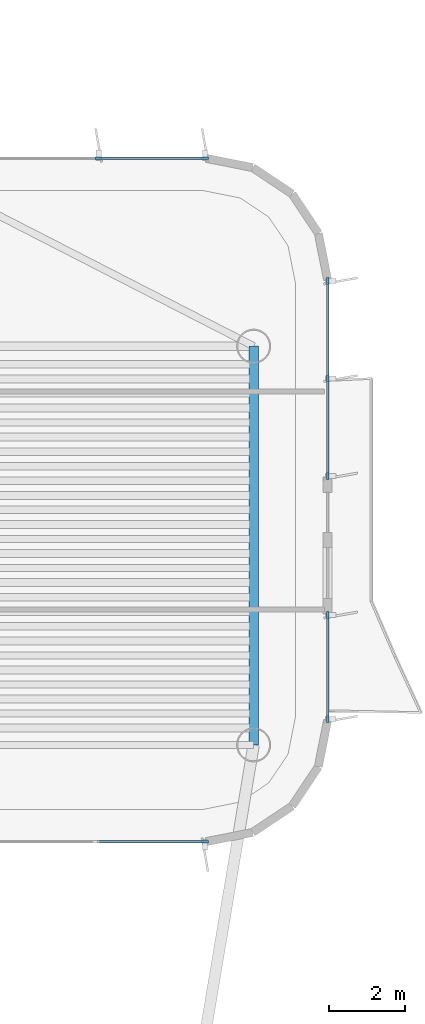
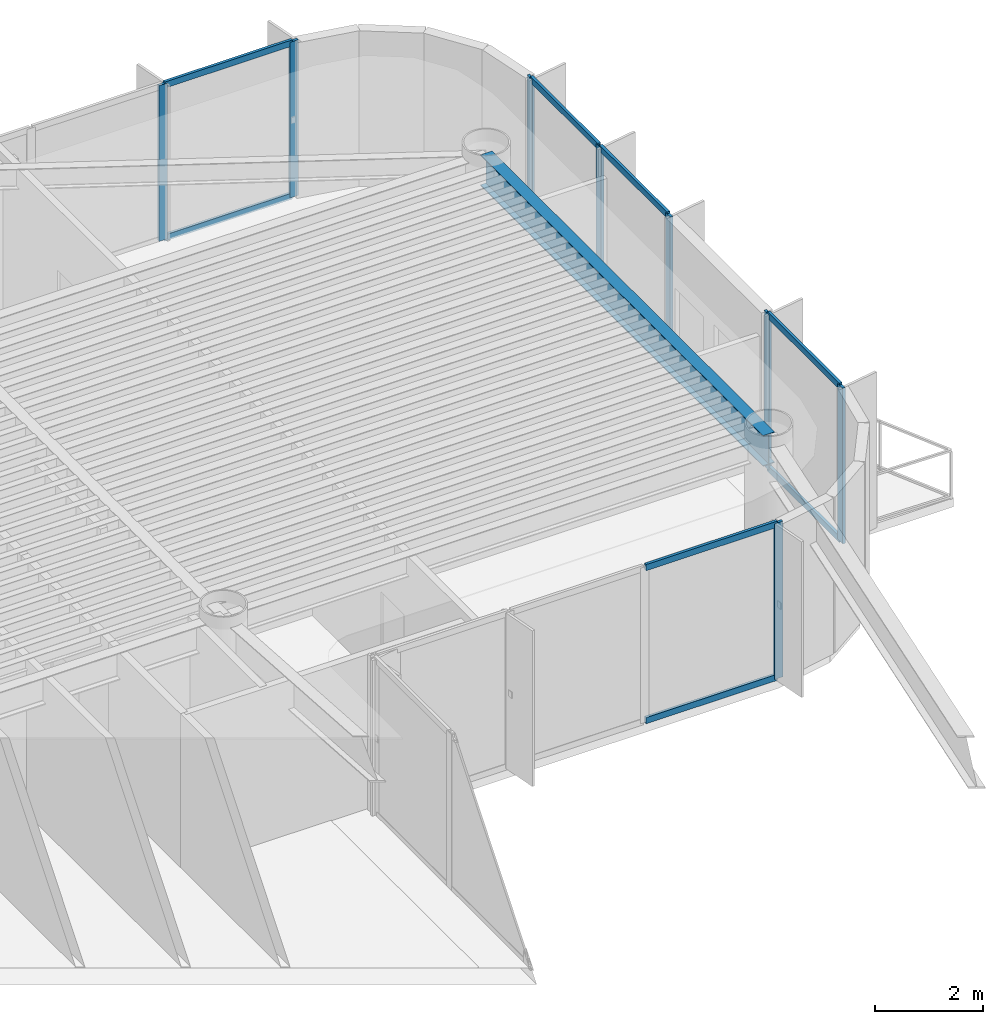
# One storey, part 8 of 16: 18 members, 1 beam, 4 elements without a shape of their own.
"""IFC4 building model written with IfcOpenShell, lengths in metres."""

from ifc_helpers import new_model, si_unit, direction, frame, origin, origin_2d, place, context, subcontext, project, spatial, rectangle, i_section, extrude, source, transform, mapped, material, layer, layer_set, material_profile, profile_set, type_object, element, aggregate, save


model = new_model("IFC4")

# Units and contexts
model_context = context("Model", 3, precision=1e-05, world=origin(), true_north=direction((0.0, 1.0)))
body_context = subcontext(model_context, "Body", "Model", "MODEL_VIEW")
ifc_project = project(units=[si_unit("LENGTHUNIT", "METRE"), si_unit("AREAUNIT", "SQUARE_METRE"), si_unit("VOLUMEUNIT", "CUBIC_METRE"), si_unit("PLANEANGLEUNIT", "RADIAN"), si_unit("MASSUNIT", "GRAM", prefix="KILO")], contexts=[model_context])

# Site, building, storey
site_placement = place(None, origin())
site = spatial("IfcSite", under=ifc_project, at=site_placement, CompositionType="ELEMENT")
building_placement = place(site_placement, origin())
building = spatial("IfcBuilding", under=site, at=building_placement, Name="Brelvock Crest Care Tower", CompositionType="ELEMENT")
storey_placement = place(building_placement, frame((0.0, 0.0, 234.360107421875)))
storey = spatial("IfcBuildingStorey", under=building, at=storey_placement, Name="L59", CompositionType="ELEMENT", Elevation=234.360107421875)

# Beam
ifc_material_1 = material(Name="Steel Grade 350", Category="steel")
ifc_material_profile_1 = material_profile(ifc_material_1, i_section(OverallWidth=0.25, OverallDepth=0.699951171875, WebThickness=0.011962890625, FlangeThickness=0.02001953125, at=origin_2d()), Name="700WB150")
ifc_profile_set_1 = profile_set([ifc_material_profile_1], Name="Steel Grade 350")
beam_type = type_object("IfcBeamType", Name="BM-G4", PredefinedType="BEAM", material=ifc_profile_set_1)
shared_shape_1 = source(origin(), body_context, "Body", "SweptSolid", [
    extrude(i_section(OverallWidth=0.25, OverallDepth=0.699951171875, WebThickness=0.011962890625, FlangeThickness=0.02001953125, at=origin_2d()), origin(), (0.0, 0.0, 1.0), 10.5),
])
beam_placement = place(storey_placement, frame((52.35009765625, 43.949951171875, 3.179931640625), z_axis=(0.0, 1.0, 0.0), x_axis=(-1.0, 0.0, 0.0)))
element("IfcBeam", 1, at=beam_placement, inside=storey, type_object=beam_type, Name="BM-TWR-L59-02", PredefinedType="BEAM", context=body_context, shape_type="MappedRepresentation", body=[
    mapped(shared_shape_1, transform((0.0, 0.0, 0.0), x_axis=(1.0, 0.0, 0.0), y_axis=(0.0, 1.0, 0.0), z_axis=(0.0, 0.0, 1.0), scale=1.0)),
])

# Curtain wall, members
ifc_material_2 = material(Name="Dark Glass Double Glazed Low-E", Category="glass")
ifc_layer = layer(ifc_material_2, 0.239990234375, Name="CWS-5")
ifc_layer_set = layer_set([ifc_layer], Name="Dark Glass Double Glazed Low-E")
curtain_wall_type = type_object("IfcCurtainWallType", Name="CWS-5", PredefinedType="NOTDEFINED", material=ifc_layer_set)
curtain_wall_1_placement = place(storey_placement, origin())
curtain_wall_1 = element("IfcCurtainWall", 2, at=curtain_wall_1_placement, inside=storey, type_object=curtain_wall_type, Name="L59 Curtain Wall E34", PredefinedType="NOTDEFINED")
ifc_material_3 = material(Name="Aluminium 6063-T6", Category="aluminium")
ifc_material_profile_2 = material_profile(ifc_material_3, rectangle(XDim=0.06005859375, YDim=0.179931640625, at=origin_2d()), Name="ALU60x180")
ifc_profile_set_2 = profile_set([ifc_material_profile_2], Name="Aluminium 6063-T6")
member_type_1 = type_object("IfcMemberType", Name="CWM-2", PredefinedType="MULLION", material=ifc_profile_set_2)
shared_shape_2 = source(origin(), body_context, "Body", "SweptSolid", [
    extrude(rectangle(XDim=0.06005859375, YDim=0.179931640625, at=origin_2d()), origin(), (0.0, 0.0, 1.0), 3.52978515625),
])
member_1_placement = place(storey_placement, frame((48.2666015625, 59.39990234375, 0.0), z_axis=(0.0, 0.0, 1.0), x_axis=(0.0, 1.0, 0.0)))
member_1 = element("IfcMember", 3, at=member_1_placement, type_object=member_type_1, Name="CW-5 mullion 3", PredefinedType="MULLION", context=body_context, shape_type="MappedRepresentation", body=[
    mapped(shared_shape_2, transform((0.0, 0.0, 0.0), x_axis=(1.0, 0.0, 0.0), y_axis=(0.0, 1.0, 0.0), z_axis=(0.0, 0.0, 1.0), scale=1.0)),
])
member_2_placement = place(storey_placement, frame((51.070068359375, 59.39990234375, 0.0), z_axis=(0.0, 0.0, 1.0), x_axis=(0.0, 1.0, 0.0)))
member_2 = element("IfcMember", 4, at=member_2_placement, type_object=member_type_1, Name="CW-5 mullion 4", PredefinedType="MULLION", context=body_context, shape_type="MappedRepresentation", body=[
    mapped(shared_shape_2, transform((0.0, 0.0, 0.0), x_axis=(1.0, 0.0, 0.0), y_axis=(0.0, 1.0, 0.0), z_axis=(0.0, 0.0, 1.0), scale=1.0)),
])

curtain_wall_2_placement = place(storey_placement, origin())
curtain_wall_2 = element("IfcCurtainWall", 5, at=curtain_wall_2_placement, inside=storey, type_object=curtain_wall_type, Name="L59 Curtain Wall E39A", PredefinedType="NOTDEFINED")
member_3_placement = place(storey_placement, frame((54.300048828125, 56.169921875, 0.0), z_axis=(0.0, 0.0, 1.0), x_axis=(1.0, 0.0, 0.0)))
member_3 = element("IfcMember", 6, at=member_3_placement, type_object=member_type_1, Name="CW-5 mullion 1", PredefinedType="MULLION", context=body_context, shape_type="MappedRepresentation", body=[
    mapped(shared_shape_2, transform((0.0, 0.0, 0.0), x_axis=(1.0, 0.0, 0.0), y_axis=(0.0, 1.0, 0.0), z_axis=(0.0, 0.0, 1.0), scale=1.0)),
])
member_4_placement = place(storey_placement, frame((54.300048828125, 53.60009765625, 0.0), z_axis=(0.0, 0.0, 1.0), x_axis=(1.0, 0.0, 0.0)))
member_4 = element("IfcMember", 7, at=member_4_placement, type_object=member_type_1, Name="CW-5 mullion 2", PredefinedType="MULLION", context=body_context, shape_type="MappedRepresentation", body=[
    mapped(shared_shape_2, transform((0.0, 0.0, 0.0), x_axis=(1.0, 0.0, 0.0), y_axis=(0.0, 1.0, 0.0), z_axis=(0.0, 0.0, 1.0), scale=1.0)),
])
member_5_placement = place(storey_placement, frame((54.300048828125, 51.030029296875, 0.0), z_axis=(0.0, 0.0, 1.0), x_axis=(1.0, 0.0, 0.0)))
member_5 = element("IfcMember", 8, at=member_5_placement, type_object=member_type_1, Name="CW-5 mullion 3", PredefinedType="MULLION", context=body_context, shape_type="MappedRepresentation", body=[
    mapped(shared_shape_2, transform((0.0, 0.0, 0.0), x_axis=(1.0, 0.0, 0.0), y_axis=(0.0, 1.0, 0.0), z_axis=(0.0, 0.0, 1.0), scale=1.0)),
])

curtain_wall_3_placement = place(storey_placement, origin())
curtain_wall_3 = element("IfcCurtainWall", 9, at=curtain_wall_3_placement, inside=storey, type_object=curtain_wall_type, Name="L59 Curtain Wall E39B", PredefinedType="NOTDEFINED")
member_6_placement = place(storey_placement, frame((54.300048828125, 47.3701171875, 0.0), z_axis=(0.0, 0.0, 1.0), x_axis=(1.0, 0.0, 0.0)))
member_6 = element("IfcMember", 10, at=member_6_placement, type_object=member_type_1, Name="CW-5 mullion 1", PredefinedType="MULLION", context=body_context, shape_type="MappedRepresentation", body=[
    mapped(shared_shape_2, transform((0.0, 0.0, 0.0), x_axis=(1.0, 0.0, 0.0), y_axis=(0.0, 1.0, 0.0), z_axis=(0.0, 0.0, 1.0), scale=1.0)),
])
member_7_placement = place(storey_placement, frame((54.300048828125, 44.6298828125, 0.0), z_axis=(0.0, 0.0, 1.0), x_axis=(1.0, 0.0, 0.0)))
member_7 = element("IfcMember", 11, at=member_7_placement, type_object=member_type_1, Name="CW-5 mullion 2", PredefinedType="MULLION", context=body_context, shape_type="MappedRepresentation", body=[
    mapped(shared_shape_2, transform((0.0, 0.0, 0.0), x_axis=(1.0, 0.0, 0.0), y_axis=(0.0, 1.0, 0.0), z_axis=(0.0, 0.0, 1.0), scale=1.0)),
])

# Curtain wall, member
curtain_wall_4_placement = place(storey_placement, origin())
curtain_wall_4 = element("IfcCurtainWall", 12, at=curtain_wall_4_placement, inside=storey, type_object=curtain_wall_type, Name="L59 Curtain Wall E44", PredefinedType="NOTDEFINED")
member_8_placement = place(storey_placement, frame((51.070068359375, 41.39990234375, 0.0), z_axis=(0.0, 0.0, 1.0), x_axis=(0.0, -1.0, 0.0)))
member_8 = element("IfcMember", 13, at=member_8_placement, type_object=member_type_1, Name="CW-5 mullion 1", PredefinedType="MULLION", context=body_context, shape_type="MappedRepresentation", body=[
    mapped(shared_shape_2, transform((0.0, 0.0, 0.0), x_axis=(1.0, 0.0, 0.0), y_axis=(0.0, 1.0, 0.0), z_axis=(0.0, 0.0, 1.0), scale=1.0)),
])

# Member
ifc_material_profile_3 = material_profile(ifc_material_3, rectangle(XDim=0.06005859375, YDim=0.139892578125, at=origin_2d()), Name="ALU60x140")
ifc_profile_set_3 = profile_set([ifc_material_profile_3], Name="Aluminium 6063-T6")
member_type_2 = type_object("IfcMemberType", Name="CWT-2", PredefinedType="USERDEFINED", material=ifc_profile_set_3)
shared_shape_3 = source(origin(), body_context, "Body", "SweptSolid", [
    extrude(rectangle(XDim=0.06005859375, YDim=0.139892578125, at=origin_2d()), origin(), (0.0, 0.0, 1.0), 2.510009765625),
])
member_9_placement = place(storey_placement, frame((54.300048828125, 56.139892578125, 0.02978515625), z_axis=(0.0, -1.0, 0.0), x_axis=(1.0, 0.0, 0.0)))
member_9 = element("IfcMember", 14, at=member_9_placement, type_object=member_type_2, Name="CW-5 transom 1.1", ObjectType="TRANSOM", PredefinedType="USERDEFINED", context=body_context, shape_type="MappedRepresentation", body=[
    mapped(shared_shape_3, transform((0.0, 0.0, 0.0), x_axis=(1.0, 0.0, 0.0), y_axis=(0.0, 1.0, 0.0), z_axis=(0.0, 0.0, 1.0), scale=1.0)),
])

member_10_placement = place(storey_placement, frame((54.300048828125, 56.139892578125, 3.5), z_axis=(0.0, -1.0, 0.0), x_axis=(1.0, 0.0, 0.0)))
member_10 = element("IfcMember", 15, at=member_10_placement, type_object=member_type_2, Name="CW-5 transom 1.2", ObjectType="TRANSOM", PredefinedType="USERDEFINED", context=body_context, shape_type="MappedRepresentation", body=[
    mapped(shared_shape_3, transform((0.0, 0.0, 0.0), x_axis=(1.0, 0.0, 0.0), y_axis=(0.0, 1.0, 0.0), z_axis=(0.0, 0.0, 1.0), scale=1.0)),
])

member_11_placement = place(storey_placement, frame((54.300048828125, 53.570068359375, 0.02978515625), z_axis=(0.0, -1.0, 0.0), x_axis=(1.0, 0.0, 0.0)))
member_11 = element("IfcMember", 16, at=member_11_placement, type_object=member_type_2, Name="CW-5 transom 2.1", ObjectType="TRANSOM", PredefinedType="USERDEFINED", context=body_context, shape_type="MappedRepresentation", body=[
    mapped(shared_shape_3, transform((0.0, 0.0, 0.0), x_axis=(1.0, 0.0, 0.0), y_axis=(0.0, 1.0, 0.0), z_axis=(0.0, 0.0, 1.0), scale=1.0)),
])

member_12_placement = place(storey_placement, frame((54.300048828125, 53.570068359375, 3.5), z_axis=(0.0, -1.0, 0.0), x_axis=(1.0, 0.0, 0.0)))
member_12 = element("IfcMember", 17, at=member_12_placement, type_object=member_type_2, Name="CW-5 transom 2.2", ObjectType="TRANSOM", PredefinedType="USERDEFINED", context=body_context, shape_type="MappedRepresentation", body=[
    mapped(shared_shape_3, transform((0.0, 0.0, 0.0), x_axis=(1.0, 0.0, 0.0), y_axis=(0.0, 1.0, 0.0), z_axis=(0.0, 0.0, 1.0), scale=1.0)),
])

aggregate(curtain_wall_2, [member_3, member_4, member_5, member_9, member_10, member_11, member_12])

shared_shape_4 = source(origin(), body_context, "Body", "SweptSolid", [
    extrude(rectangle(XDim=0.06005859375, YDim=0.139892578125, at=origin_2d()), origin(), (0.0, 0.0, 1.0), 2.81005859375),
])
member_13_placement = place(storey_placement, frame((51.0400390625, 41.39990234375, 0.02978515625), z_axis=(-1.0, 0.0, 0.0), x_axis=(0.0, -1.0, 0.0)))
member_13 = element("IfcMember", 18, at=member_13_placement, type_object=member_type_2, Name="CW-5 transom 1.1", ObjectType="TRANSOM", PredefinedType="USERDEFINED", context=body_context, shape_type="MappedRepresentation", body=[
    mapped(shared_shape_4, transform((0.0, 0.0, 0.0), x_axis=(1.0, 0.0, 0.0), y_axis=(0.0, 1.0, 0.0), z_axis=(0.0, 0.0, 1.0), scale=1.0)),
])

member_14_placement = place(storey_placement, frame((51.0400390625, 41.39990234375, 3.5), z_axis=(-1.0, 0.0, 0.0), x_axis=(0.0, -1.0, 0.0)))
member_14 = element("IfcMember", 19, at=member_14_placement, type_object=member_type_2, Name="CW-5 transom 1.2", ObjectType="TRANSOM", PredefinedType="USERDEFINED", context=body_context, shape_type="MappedRepresentation", body=[
    mapped(shared_shape_4, transform((0.0, 0.0, 0.0), x_axis=(1.0, 0.0, 0.0), y_axis=(0.0, 1.0, 0.0), z_axis=(0.0, 0.0, 1.0), scale=1.0)),
])

aggregate(curtain_wall_4, [member_8, member_13, member_14])

shared_shape_5 = source(origin(), body_context, "Body", "SweptSolid", [
    extrude(rectangle(XDim=0.06005859375, YDim=0.139892578125, at=origin_2d()), origin(), (0.0, 0.0, 1.0), 2.743408203125),
])
member_15_placement = place(storey_placement, frame((48.296630859375, 59.39990234375, 0.02978515625), z_axis=(1.0, 0.0, 0.0), x_axis=(0.0, 1.0, 0.0)))
member_15 = element("IfcMember", 20, at=member_15_placement, type_object=member_type_2, Name="CW-5 transom 3.1", ObjectType="TRANSOM", PredefinedType="USERDEFINED", context=body_context, shape_type="MappedRepresentation", body=[
    mapped(shared_shape_5, transform((0.0, 0.0, 0.0), x_axis=(1.0, 0.0, 0.0), y_axis=(0.0, 1.0, 0.0), z_axis=(0.0, 0.0, 1.0), scale=1.0)),
])

member_16_placement = place(storey_placement, frame((48.296630859375, 59.39990234375, 3.5), z_axis=(1.0, 0.0, 0.0), x_axis=(0.0, 1.0, 0.0)))
member_16 = element("IfcMember", 21, at=member_16_placement, type_object=member_type_2, Name="CW-5 transom 3.2", ObjectType="TRANSOM", PredefinedType="USERDEFINED", context=body_context, shape_type="MappedRepresentation", body=[
    mapped(shared_shape_5, transform((0.0, 0.0, 0.0), x_axis=(1.0, 0.0, 0.0), y_axis=(0.0, 1.0, 0.0), z_axis=(0.0, 0.0, 1.0), scale=1.0)),
])

aggregate(curtain_wall_1, [member_1, member_2, member_15, member_16])

shared_shape_6 = source(origin(), body_context, "Body", "SweptSolid", [
    extrude(rectangle(XDim=0.06005859375, YDim=0.139892578125, at=origin_2d()), origin(), (0.0, 0.0, 1.0), 2.68017578125),
])
member_17_placement = place(storey_placement, frame((54.300048828125, 47.340087890625, 0.02978515625), z_axis=(0.0, -1.0, 0.0), x_axis=(1.0, 0.0, 0.0)))
member_17 = element("IfcMember", 22, at=member_17_placement, type_object=member_type_2, Name="CW-5 transom 1.1", ObjectType="TRANSOM", PredefinedType="USERDEFINED", context=body_context, shape_type="MappedRepresentation", body=[
    mapped(shared_shape_6, transform((0.0, 0.0, 0.0), x_axis=(1.0, 0.0, 0.0), y_axis=(0.0, 1.0, 0.0), z_axis=(0.0, 0.0, 1.0), scale=1.0)),
])

member_18_placement = place(storey_placement, frame((54.300048828125, 47.340087890625, 3.5), z_axis=(0.0, -1.0, 0.0), x_axis=(1.0, 0.0, 0.0)))
member_18 = element("IfcMember", 23, at=member_18_placement, type_object=member_type_2, Name="CW-5 transom 1.2", ObjectType="TRANSOM", PredefinedType="USERDEFINED", context=body_context, shape_type="MappedRepresentation", body=[
    mapped(shared_shape_6, transform((0.0, 0.0, 0.0), x_axis=(1.0, 0.0, 0.0), y_axis=(0.0, 1.0, 0.0), z_axis=(0.0, 0.0, 1.0), scale=1.0)),
])

aggregate(curtain_wall_3, [member_6, member_7, member_17, member_18])

save(model, "model.ifc")
